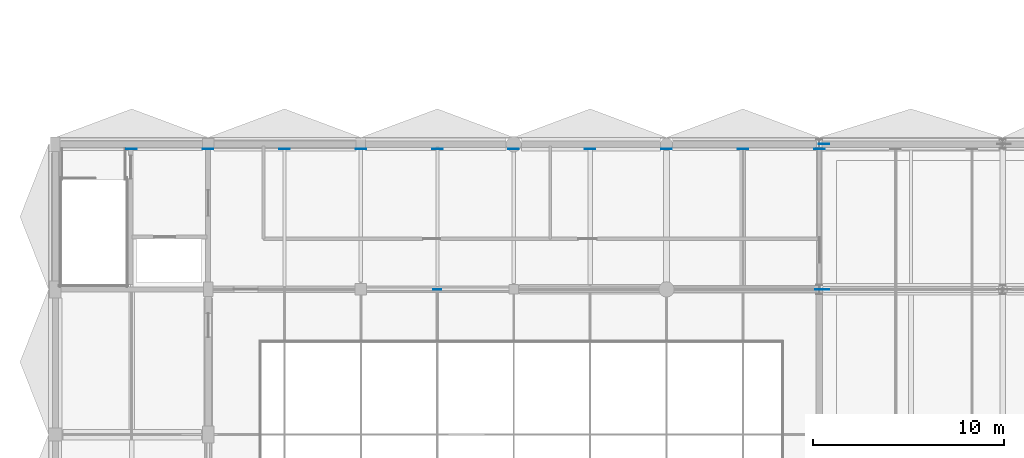
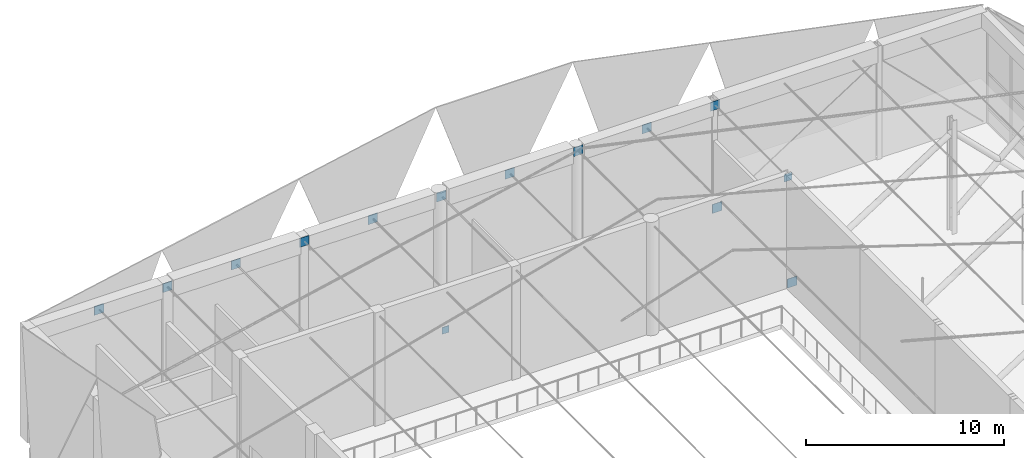
# One storey, part 29 of 46: 14 plates.
"""IFC4 building model written with IfcOpenShell, lengths in metres."""

from ifc_helpers import new_model, si_unit, direction, frame, origin, origin_2d, place, context, subcontext, project, spatial, rectangle, extrude, material, layer, layer_set, type_object, element, save


model = new_model("IFC4")

# Units and contexts
model_context = context("Model", 3, precision=1e-05, world=origin(), true_north=direction((0.0, 1.0)))
body_context = subcontext(model_context, "Body", "Model", "MODEL_VIEW")
ifc_project = project(units=[si_unit("LENGTHUNIT", "METRE"), si_unit("AREAUNIT", "SQUARE_METRE"), si_unit("VOLUMEUNIT", "CUBIC_METRE"), si_unit("PLANEANGLEUNIT", "RADIAN"), si_unit("MASSUNIT", "GRAM", prefix="KILO")], contexts=[model_context])

# Site, building, storey
site_placement = place(None, origin())
site = spatial("IfcSite", under=ifc_project, at=site_placement, CompositionType="ELEMENT")
building_placement = place(site_placement, origin())
building = spatial("IfcBuilding", under=site, at=building_placement, Name="Khelvaren Railside Concert Hall", CompositionType="ELEMENT")
storey_placement = place(building_placement, frame((0.0, 0.0, 19.800048828125)))
storey = spatial("IfcBuildingStorey", under=building, at=storey_placement, Name="L04", CompositionType="ELEMENT", Elevation=19.800048828125)

# Plates
ifc_material = material(Name="Steel S355", Category="steel")
ifc_layer_1 = layer(ifc_material, 0.028076171875)
ifc_layer_set_1 = layer_set([ifc_layer_1], Name="Steel S355")
plate_type_1 = type_object("IfcPlateType", Name="GP71", PredefinedType="USERDEFINED", material=ifc_layer_set_1)
for number, where, z_axis, x_axis, name in (
    (1, (40.25, 38.0, -0.125), (0.0, 0.0, 1.0), (1.0, 0.0, 0.0), "Cantilever Truss End Node Assembly L04-6-BS"),
    (2, (40.25, 45.60009765625, -0.125), (0.0, 0.0, 1.0), (1.0, 0.0, 0.0), "Cantilever Truss End Node Assembly L04-7-BS"),
    (3, (4.0, 45.35009765625, 6.4248046875), (0.0, 0.0, 1.0), (1.0, 0.0, 0.0), "Cable Anchorage Gusset Plate N-1"),
    (4, (8.0, 45.35009765625, 6.4248046875), (0.0, 0.0, 1.0), (1.0, 0.0, 0.0), "Cable Anchorage Gusset Plate N-2"),
    (5, (12.0, 45.35009765625, 6.4248046875), (0.0, 0.0, 1.0), (1.0, 0.0, 0.0), "Cable Anchorage Gusset Plate N-3"),
    (6, (16.0, 45.35009765625, 6.4248046875), (0.0, 0.0, 1.0), (1.0, 0.0, 0.0), "Cable Anchorage Gusset Plate N-4"),
    (7, (20.0, 45.35009765625, 6.4248046875), (0.0, 0.0, 1.0), (1.0, 0.0, 0.0), "Cable Anchorage Gusset Plate N-5"),
    (8, (24.0, 45.35009765625, 6.4248046875), (0.0, 0.0, 1.0), (1.0, 0.0, 0.0), "Cable Anchorage Gusset Plate N-6"),
    (9, (28.0, 45.35009765625, 6.4248046875), (0.0, 0.0, 1.0), (1.0, 0.0, 0.0), "Cable Anchorage Gusset Plate N-7"),
    (10, (32.0, 45.35009765625, 6.4248046875), (0.0, 0.0, 1.0), (1.0, 0.0, 0.0), "Cable Anchorage Gusset Plate N-8"),
    (11, (36.0, 45.35009765625, 6.4248046875), (0.0, 0.0, 1.0), (1.0, 0.0, 0.0), "Cable Anchorage Gusset Plate N-9"),
    (12, (40.0, 45.35009765625, 6.4248046875), (0.0, 0.0, 1.0), (1.0, 0.0, 0.0), "Cable Anchorage Gusset Plate N-10"),
):
    element("IfcPlate", number, at=place(storey_placement, frame(where, z_axis=z_axis, x_axis=x_axis)), inside=storey, type_object=plate_type_1, Name=name, ObjectType="GUSSET PLATE", PredefinedType="USERDEFINED", context=body_context, shape_type="SweptSolid", body=[
        extrude(rectangle(XDim=0.550048828125, YDim=0.028076171875, at=origin_2d()), origin(), (0.0, 0.0, 1.0), 0.550048828125),
    ])
plate_1_placement = place(storey_placement, frame((40.0, 38.0, 6.4951171875), z_axis=(0.0, 0.0, 1.0), x_axis=(1.0, 0.0, 0.0)))
element("IfcPlate", 13, at=plate_1_placement, inside=storey, type_object=plate_type_1, Name="Cable-Net Stay Wall Anchorage Plate 28", ObjectType="GUSSET PLATE", PredefinedType="USERDEFINED", context=body_context, shape_type="SweptSolid", body=[
    extrude(rectangle(XDim=0.449951171875, YDim=0.028076171875, at=origin_2d()), origin(), (0.0, 0.0, 1.0), 0.449951171875),
])
ifc_layer_2 = layer(ifc_material, 0.02197265625)
ifc_layer_set_2 = layer_set([ifc_layer_2], Name="Steel S355")
plate_type_2 = type_object("IfcPlateType", Name="STP73", PredefinedType="USERDEFINED", material=ifc_layer_set_2)
plate_2_placement = place(storey_placement, frame((20.0, 38.0, 4.080078125), z_axis=(0.0, 0.0, 1.0), x_axis=(1.0, 0.0, 0.0)))
element("IfcPlate", 14, at=plate_2_placement, inside=storey, type_object=plate_type_2, Name="V1 L04 Brace Apex Stiffener Plate 40", ObjectType="STIFFENER PLATE", PredefinedType="USERDEFINED", context=body_context, shape_type="SweptSolid", body=[
    extrude(rectangle(XDim=0.419921875, YDim=0.02197265625, at=origin_2d()), origin(), (0.0, 0.0, 1.0), 0.419921875),
])

save(model, "model.ifc")
